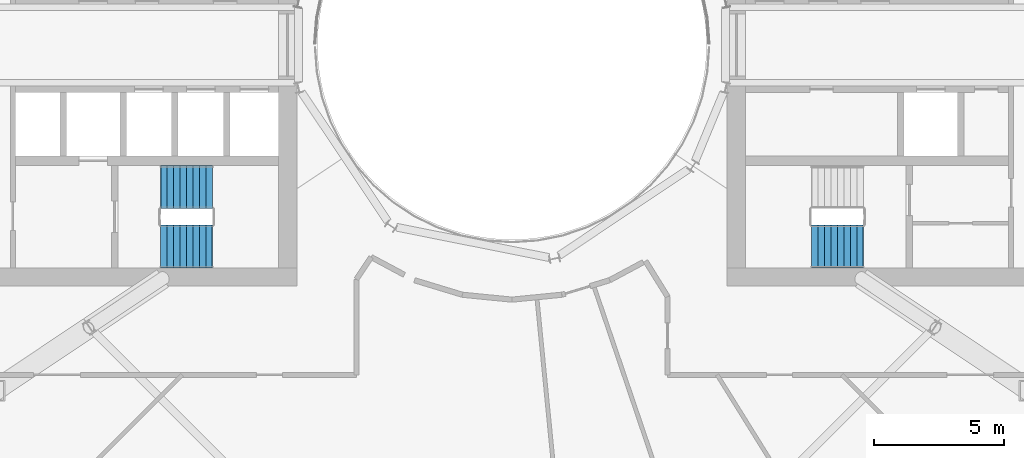
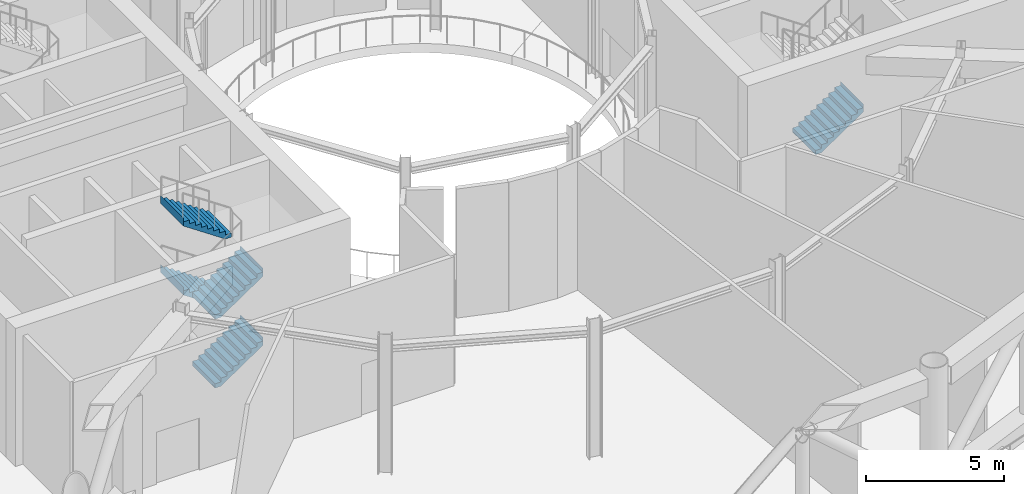
# One storey, part 15 of 23: 5 stair flights, 2 elements without a shape of their own.
"""IFC4 building model written with IfcOpenShell, lengths in metres."""

from ifc_helpers import new_model, si_unit, direction, frame, origin, place, context, subcontext, project, spatial, triangles, material, type_object, element, aggregate, save


model = new_model("IFC4")

# Units and contexts
model_context = context("Model", 3, precision=1e-05, world=origin(), true_north=direction((0.0, 1.0)))
body_context = subcontext(model_context, "Body", "Model", "MODEL_VIEW")
ifc_project = project(units=[si_unit("LENGTHUNIT", "METRE"), si_unit("AREAUNIT", "SQUARE_METRE"), si_unit("VOLUMEUNIT", "CUBIC_METRE"), si_unit("PLANEANGLEUNIT", "RADIAN"), si_unit("MASSUNIT", "GRAM", prefix="KILO")], contexts=[model_context])

# Site, building, storey
site_placement = place(None, origin())
site = spatial("IfcSite", under=ifc_project, at=site_placement, CompositionType="ELEMENT")
building_placement = place(site_placement, origin())
building = spatial("IfcBuilding", under=site, at=building_placement, Name="Maasbend Ring Residences", CompositionType="ELEMENT")
storey_placement = place(building_placement, frame((0.0, 0.0, 97.14990234375)))
storey = spatial("IfcBuildingStorey", under=building, at=storey_placement, Name="L28", CompositionType="ELEMENT", Elevation=97.14990234375)

# Stair, stair flight
ifc_material_1 = material(Name="Concrete C40/50", Category="concrete")
stair_type = type_object("IfcStairType", Name="CORE STAIR 36 RISERS", PredefinedType="HALF_TURN_STAIR", material=ifc_material_1)
stair_1_placement = place(storey_placement, origin())
stair_1 = element("IfcStair", 1, at=stair_1_placement, inside=storey, type_object=stair_type, Name="L28 Exit stair ST-E2", PredefinedType="HALF_TURN_STAIR")
ifc_material_2 = material(Name="Concrete C40/50", Category="concrete")
stair_flight_type = type_object("IfcStairFlightType", Name="CORE STAIR FLIGHT 1650", PredefinedType="STRAIGHT", material=ifc_material_2)
stair_flight_1_placement = place(storey_placement, frame((11.550048828125, -7.77490234375, 1.525146484375), z_axis=(0.0, 0.0, 1.0), x_axis=(1.0, 0.0, 0.0)))
stair_flight_1 = element("IfcStairFlight", 2, at=stair_flight_1_placement, type_object=stair_flight_type, Name="ST-E2 flight 2", NumberOfRisers=9, NumberOfTreads=8, PredefinedType="STRAIGHT", RiserHeight=0.169444444, TreadLength=0.25, context=body_context, shape_type="Tessellation", body=[
    triangles([(0.24072265625, 0.824951171875, -0.02001953125), (2.0029296875, 0.824951171875, 1.174560546875), (2.0029296875, 0.824951171875, 1.52490234375), (1.989990234375, 0.824951171875, 1.35546875), (1.75, 0.824951171875, 1.35546875), (1.75, 0.824951171875, 1.18603515625), (1.5, 0.824951171875, 1.18603515625), (1.5, 0.824951171875, 1.0166015625), (1.25, 0.824951171875, 1.0166015625), (1.25, 0.824951171875, 0.84716796875), (1.0, 0.824951171875, 0.84716796875), (1.0, 0.824951171875, 0.677734375), (0.75, 0.824951171875, 0.677734375), (0.75, 0.824951171875, 0.50830078125), (0.5, 0.824951171875, 0.50830078125), (0.5, 0.824951171875, 0.3388671875), (0.25, 0.824951171875, 0.3388671875), (0.25, 0.824951171875, 0.16943359375), (0.0, 0.824951171875, 0.16943359375), (0.0, 0.824951171875, 0.0), (-0.0029296875, 0.824951171875, 0.0), (-0.0029296875, 0.824951171875, -0.02001953125), (0.24072265625, 0.27490234375, -0.02001953125), (2.0029296875, 0.27490234375, 1.174560546875), (2.0029296875, 0.27490234375, 1.52490234375), (1.989990234375, 0.27490234375, 1.35546875), (1.75, 0.27490234375, 1.35546875), (1.75, 0.27490234375, 1.18603515625), (1.5, 0.27490234375, 1.18603515625), (1.5, 0.27490234375, 1.0166015625), (1.25, 0.27490234375, 1.0166015625), (1.25, 0.27490234375, 0.84716796875), (1.0, 0.27490234375, 0.84716796875), (1.0, 0.27490234375, 0.677734375), (0.75, 0.27490234375, 0.677734375), (0.75, 0.27490234375, 0.50830078125), (0.5, 0.27490234375, 0.50830078125), (0.5, 0.27490234375, 0.3388671875), (0.25, 0.27490234375, 0.3388671875), (0.25, 0.27490234375, 0.16943359375), (0.0, 0.27490234375, 0.16943359375), (0.0, 0.27490234375, 0.0), (-0.0029296875, 0.27490234375, 0.0), (-0.0029296875, 0.27490234375, -0.02001953125), (0.24072265625, -0.27490234375, -0.02001953125), (2.0029296875, -0.27490234375, 1.174560546875), (2.0029296875, -0.27490234375, 1.52490234375), (1.989990234375, -0.27490234375, 1.35546875), (1.75, -0.27490234375, 1.35546875), (1.75, -0.27490234375, 1.18603515625), (1.5, -0.27490234375, 1.18603515625), (1.5, -0.27490234375, 1.0166015625), (1.25, -0.27490234375, 1.0166015625), (1.25, -0.27490234375, 0.84716796875), (1.0, -0.27490234375, 0.84716796875), (1.0, -0.27490234375, 0.677734375), (0.75, -0.27490234375, 0.677734375), (0.75, -0.27490234375, 0.50830078125), (0.5, -0.27490234375, 0.50830078125), (0.5, -0.27490234375, 0.3388671875), (0.25, -0.27490234375, 0.3388671875), (0.25, -0.27490234375, 0.16943359375), (0.0, -0.27490234375, 0.16943359375), (0.0, -0.27490234375, 0.0), (-0.0029296875, -0.27490234375, 0.0), (-0.0029296875, -0.27490234375, -0.02001953125), (0.24072265625, -0.824951171875, -0.02001953125), (2.0029296875, -0.824951171875, 1.174560546875), (2.0029296875, -0.824951171875, 1.52490234375), (1.989990234375, -0.824951171875, 1.35546875), (1.75, -0.824951171875, 1.35546875), (1.75, -0.824951171875, 1.18603515625), (1.5, -0.824951171875, 1.18603515625), (1.5, -0.824951171875, 1.0166015625), (1.25, -0.824951171875, 1.0166015625), (1.25, -0.824951171875, 0.84716796875), (1.0, -0.824951171875, 0.84716796875), (1.0, -0.824951171875, 0.677734375), (0.75, -0.824951171875, 0.677734375), (0.75, -0.824951171875, 0.50830078125), (0.5, -0.824951171875, 0.50830078125), (0.5, -0.824951171875, 0.3388671875), (0.25, -0.824951171875, 0.3388671875), (0.25, -0.824951171875, 0.16943359375), (0.0, -0.824951171875, 0.16943359375), (0.0, -0.824951171875, 0.0), (-0.0029296875, -0.824951171875, 0.0), (-0.0029296875, -0.824951171875, -0.02001953125)], [[1, 2, 24], [1, 24, 23], [23, 24, 46], [23, 46, 45], [45, 46, 68], [45, 68, 67], [2, 3, 25], [2, 25, 24], [24, 25, 47], [24, 47, 46], [46, 47, 69], [46, 69, 68], [3, 4, 26], [3, 26, 25], [25, 26, 48], [25, 48, 47], [47, 48, 70], [47, 70, 69], [4, 5, 27], [4, 27, 26], [26, 27, 49], [26, 49, 48], [48, 49, 71], [48, 71, 70], [5, 6, 28], [5, 28, 27], [27, 28, 50], [27, 50, 49], [49, 50, 72], [49, 72, 71], [6, 7, 29], [6, 29, 28], [28, 29, 51], [28, 51, 50], [50, 51, 73], [50, 73, 72], [7, 8, 30], [7, 30, 29], [29, 30, 52], [29, 52, 51], [51, 52, 74], [51, 74, 73], [8, 9, 31], [8, 31, 30], [30, 31, 53], [30, 53, 52], [52, 53, 75], [52, 75, 74], [9, 10, 32], [9, 32, 31], [31, 32, 54], [31, 54, 53], [53, 54, 76], [53, 76, 75], [10, 11, 33], [10, 33, 32], [32, 33, 55], [32, 55, 54], [54, 55, 77], [54, 77, 76], [11, 12, 34], [11, 34, 33], [33, 34, 56], [33, 56, 55], [55, 56, 78], [55, 78, 77], [12, 13, 35], [12, 35, 34], [34, 35, 57], [34, 57, 56], [56, 57, 79], [56, 79, 78], [13, 14, 36], [13, 36, 35], [35, 36, 58], [35, 58, 57], [57, 58, 80], [57, 80, 79], [14, 15, 37], [14, 37, 36], [36, 37, 59], [36, 59, 58], [58, 59, 81], [58, 81, 80], [15, 16, 38], [15, 38, 37], [37, 38, 60], [37, 60, 59], [59, 60, 82], [59, 82, 81], [16, 17, 39], [16, 39, 38], [38, 39, 61], [38, 61, 60], [60, 61, 83], [60, 83, 82], [17, 18, 40], [17, 40, 39], [39, 40, 62], [39, 62, 61], [61, 62, 84], [61, 84, 83], [18, 19, 41], [18, 41, 40], [40, 41, 63], [40, 63, 62], [62, 63, 85], [62, 85, 84], [19, 20, 42], [19, 42, 41], [41, 42, 64], [41, 64, 63], [63, 64, 86], [63, 86, 85], [20, 21, 43], [20, 43, 42], [42, 43, 65], [42, 65, 64], [64, 65, 87], [64, 87, 86], [21, 22, 44], [21, 44, 43], [43, 44, 66], [43, 66, 65], [65, 66, 88], [65, 88, 87], [22, 1, 23], [22, 23, 44], [44, 23, 45], [44, 45, 66], [66, 45, 67], [66, 67, 88], [22, 2, 1], [2, 4, 3], [2, 5, 4], [2, 6, 5], [22, 6, 2], [6, 8, 7], [22, 8, 6], [8, 10, 9], [22, 10, 8], [10, 12, 11], [22, 12, 10], [12, 14, 13], [22, 14, 12], [14, 16, 15], [22, 16, 14], [16, 18, 17], [22, 18, 16], [18, 20, 19], [22, 20, 18], [20, 22, 21], [88, 67, 68], [68, 69, 70], [68, 70, 71], [68, 71, 72], [88, 68, 72], [72, 73, 74], [88, 72, 74], [74, 75, 76], [88, 74, 76], [76, 77, 78], [88, 76, 78], [78, 79, 80], [88, 78, 80], [80, 81, 82], [88, 80, 82], [82, 83, 84], [88, 82, 84], [84, 85, 86], [88, 84, 86], [86, 87, 88]], closed=True),
])
aggregate(stair_1, [stair_flight_1])

# Stair, stair flights
stair_2_placement = place(storey_placement, origin())
stair_2 = element("IfcStair", 3, at=stair_2_placement, inside=storey, type_object=stair_type, Name="L28 Exit stair ST-W1", PredefinedType="HALF_TURN_STAIR")
stair_flight_2_placement = place(storey_placement, frame((-13.550048828125, -7.77490234375, 0.0), z_axis=(0.0, 0.0, 1.0), x_axis=(1.0, 0.0, 0.0)))
stair_flight_2 = element("IfcStairFlight", 4, at=stair_flight_2_placement, type_object=stair_flight_type, Name="ST-W1 flight 1", NumberOfRisers=9, NumberOfTreads=8, PredefinedType="STRAIGHT", RiserHeight=0.169444444, TreadLength=0.25, context=body_context, shape_type="Tessellation", body=[
    triangles([(0.24072265625, 0.824951171875, -0.02001953125), (2.0029296875, 0.824951171875, 1.174560546875), (2.0029296875, 0.824951171875, 1.52490234375), (1.989990234375, 0.824951171875, 1.35546875), (1.75, 0.824951171875, 1.35546875), (1.75, 0.824951171875, 1.18603515625), (1.5, 0.824951171875, 1.18603515625), (1.5, 0.824951171875, 1.0166015625), (1.25, 0.824951171875, 1.0166015625), (1.25, 0.824951171875, 0.84716796875), (1.0, 0.824951171875, 0.84716796875), (1.0, 0.824951171875, 0.677734375), (0.75, 0.824951171875, 0.677734375), (0.75, 0.824951171875, 0.50830078125), (0.5, 0.824951171875, 0.50830078125), (0.5, 0.824951171875, 0.3388671875), (0.25, 0.824951171875, 0.3388671875), (0.25, 0.824951171875, 0.16943359375), (0.0, 0.824951171875, 0.16943359375), (0.0, 0.824951171875, 0.0), (-0.0029296875, 0.824951171875, 0.0), (-0.0029296875, 0.824951171875, -0.02001953125), (0.24072265625, 0.27490234375, -0.02001953125), (2.0029296875, 0.27490234375, 1.174560546875), (2.0029296875, 0.27490234375, 1.52490234375), (1.989990234375, 0.27490234375, 1.35546875), (1.75, 0.27490234375, 1.35546875), (1.75, 0.27490234375, 1.18603515625), (1.5, 0.27490234375, 1.18603515625), (1.5, 0.27490234375, 1.0166015625), (1.25, 0.27490234375, 1.0166015625), (1.25, 0.27490234375, 0.84716796875), (1.0, 0.27490234375, 0.84716796875), (1.0, 0.27490234375, 0.677734375), (0.75, 0.27490234375, 0.677734375), (0.75, 0.27490234375, 0.50830078125), (0.5, 0.27490234375, 0.50830078125), (0.5, 0.27490234375, 0.3388671875), (0.25, 0.27490234375, 0.3388671875), (0.25, 0.27490234375, 0.16943359375), (0.0, 0.27490234375, 0.16943359375), (0.0, 0.27490234375, 0.0), (-0.0029296875, 0.27490234375, 0.0), (-0.0029296875, 0.27490234375, -0.02001953125), (0.24072265625, -0.27490234375, -0.02001953125), (2.0029296875, -0.27490234375, 1.174560546875), (2.0029296875, -0.27490234375, 1.52490234375), (1.989990234375, -0.27490234375, 1.35546875), (1.75, -0.27490234375, 1.35546875), (1.75, -0.27490234375, 1.18603515625), (1.5, -0.27490234375, 1.18603515625), (1.5, -0.27490234375, 1.0166015625), (1.25, -0.27490234375, 1.0166015625), (1.25, -0.27490234375, 0.84716796875), (1.0, -0.27490234375, 0.84716796875), (1.0, -0.27490234375, 0.677734375), (0.75, -0.27490234375, 0.677734375), (0.75, -0.27490234375, 0.50830078125), (0.5, -0.27490234375, 0.50830078125), (0.5, -0.27490234375, 0.3388671875), (0.25, -0.27490234375, 0.3388671875), (0.25, -0.27490234375, 0.16943359375), (0.0, -0.27490234375, 0.16943359375), (0.0, -0.27490234375, 0.0), (-0.0029296875, -0.27490234375, 0.0), (-0.0029296875, -0.27490234375, -0.02001953125), (0.24072265625, -0.824951171875, -0.02001953125), (2.0029296875, -0.824951171875, 1.174560546875), (2.0029296875, -0.824951171875, 1.52490234375), (1.989990234375, -0.824951171875, 1.35546875), (1.75, -0.824951171875, 1.35546875), (1.75, -0.824951171875, 1.18603515625), (1.5, -0.824951171875, 1.18603515625), (1.5, -0.824951171875, 1.0166015625), (1.25, -0.824951171875, 1.0166015625), (1.25, -0.824951171875, 0.84716796875), (1.0, -0.824951171875, 0.84716796875), (1.0, -0.824951171875, 0.677734375), (0.75, -0.824951171875, 0.677734375), (0.75, -0.824951171875, 0.50830078125), (0.5, -0.824951171875, 0.50830078125), (0.5, -0.824951171875, 0.3388671875), (0.25, -0.824951171875, 0.3388671875), (0.25, -0.824951171875, 0.16943359375), (0.0, -0.824951171875, 0.16943359375), (0.0, -0.824951171875, 0.0), (-0.0029296875, -0.824951171875, 0.0), (-0.0029296875, -0.824951171875, -0.02001953125)], [[1, 2, 24], [1, 24, 23], [23, 24, 46], [23, 46, 45], [45, 46, 68], [45, 68, 67], [2, 3, 25], [2, 25, 24], [24, 25, 47], [24, 47, 46], [46, 47, 69], [46, 69, 68], [3, 4, 26], [3, 26, 25], [25, 26, 48], [25, 48, 47], [47, 48, 70], [47, 70, 69], [4, 5, 27], [4, 27, 26], [26, 27, 49], [26, 49, 48], [48, 49, 71], [48, 71, 70], [5, 6, 28], [5, 28, 27], [27, 28, 50], [27, 50, 49], [49, 50, 72], [49, 72, 71], [6, 7, 29], [6, 29, 28], [28, 29, 51], [28, 51, 50], [50, 51, 73], [50, 73, 72], [7, 8, 30], [7, 30, 29], [29, 30, 52], [29, 52, 51], [51, 52, 74], [51, 74, 73], [8, 9, 31], [8, 31, 30], [30, 31, 53], [30, 53, 52], [52, 53, 75], [52, 75, 74], [9, 10, 32], [9, 32, 31], [31, 32, 54], [31, 54, 53], [53, 54, 76], [53, 76, 75], [10, 11, 33], [10, 33, 32], [32, 33, 55], [32, 55, 54], [54, 55, 77], [54, 77, 76], [11, 12, 34], [11, 34, 33], [33, 34, 56], [33, 56, 55], [55, 56, 78], [55, 78, 77], [12, 13, 35], [12, 35, 34], [34, 35, 57], [34, 57, 56], [56, 57, 79], [56, 79, 78], [13, 14, 36], [13, 36, 35], [35, 36, 58], [35, 58, 57], [57, 58, 80], [57, 80, 79], [14, 15, 37], [14, 37, 36], [36, 37, 59], [36, 59, 58], [58, 59, 81], [58, 81, 80], [15, 16, 38], [15, 38, 37], [37, 38, 60], [37, 60, 59], [59, 60, 82], [59, 82, 81], [16, 17, 39], [16, 39, 38], [38, 39, 61], [38, 61, 60], [60, 61, 83], [60, 83, 82], [17, 18, 40], [17, 40, 39], [39, 40, 62], [39, 62, 61], [61, 62, 84], [61, 84, 83], [18, 19, 41], [18, 41, 40], [40, 41, 63], [40, 63, 62], [62, 63, 85], [62, 85, 84], [19, 20, 42], [19, 42, 41], [41, 42, 64], [41, 64, 63], [63, 64, 86], [63, 86, 85], [20, 21, 43], [20, 43, 42], [42, 43, 65], [42, 65, 64], [64, 65, 87], [64, 87, 86], [21, 22, 44], [21, 44, 43], [43, 44, 66], [43, 66, 65], [65, 66, 88], [65, 88, 87], [22, 1, 23], [22, 23, 44], [44, 23, 45], [44, 45, 66], [66, 45, 67], [66, 67, 88], [22, 2, 1], [2, 4, 3], [2, 5, 4], [2, 6, 5], [22, 6, 2], [6, 8, 7], [22, 8, 6], [8, 10, 9], [22, 10, 8], [10, 12, 11], [22, 12, 10], [12, 14, 13], [22, 14, 12], [14, 16, 15], [22, 16, 14], [16, 18, 17], [22, 18, 16], [18, 20, 19], [22, 20, 18], [20, 22, 21], [88, 67, 68], [68, 69, 70], [68, 70, 71], [68, 71, 72], [88, 68, 72], [72, 73, 74], [88, 72, 74], [74, 75, 76], [88, 74, 76], [76, 77, 78], [88, 76, 78], [78, 79, 80], [88, 78, 80], [80, 81, 82], [88, 80, 82], [82, 83, 84], [88, 82, 84], [84, 85, 86], [88, 84, 86], [86, 87, 88]], closed=True),
])
stair_flight_3_placement = place(storey_placement, frame((-11.550048828125, -5.47509765625, 1.525146484375), z_axis=(0.0, 0.0, 1.0), x_axis=(-1.0, 0.0, 0.0)))
stair_flight_3 = element("IfcStairFlight", 5, at=stair_flight_3_placement, type_object=stair_flight_type, Name="ST-W1 flight 2", NumberOfRisers=9, NumberOfTreads=8, PredefinedType="STRAIGHT", RiserHeight=0.169444444, TreadLength=0.25, context=body_context, shape_type="Tessellation", body=[
    triangles([(0.24072265625, 0.824951171875, -0.02001953125), (2.0029296875, 0.824951171875, 1.174560546875), (2.0029296875, 0.824951171875, 1.52490234375), (1.989990234375, 0.824951171875, 1.35546875), (1.75, 0.824951171875, 1.35546875), (1.75, 0.824951171875, 1.18603515625), (1.5, 0.824951171875, 1.18603515625), (1.5, 0.824951171875, 1.0166015625), (1.25, 0.824951171875, 1.0166015625), (1.25, 0.824951171875, 0.84716796875), (1.0, 0.824951171875, 0.84716796875), (1.0, 0.824951171875, 0.677734375), (0.75, 0.824951171875, 0.677734375), (0.75, 0.824951171875, 0.50830078125), (0.5, 0.824951171875, 0.50830078125), (0.5, 0.824951171875, 0.3388671875), (0.25, 0.824951171875, 0.3388671875), (0.25, 0.824951171875, 0.16943359375), (0.0, 0.824951171875, 0.16943359375), (0.0, 0.824951171875, 0.0), (-0.0029296875, 0.824951171875, 0.0), (-0.0029296875, 0.824951171875, -0.02001953125), (0.24072265625, 0.27490234375, -0.02001953125), (2.0029296875, 0.27490234375, 1.174560546875), (2.0029296875, 0.27490234375, 1.52490234375), (1.989990234375, 0.27490234375, 1.35546875), (1.75, 0.27490234375, 1.35546875), (1.75, 0.27490234375, 1.18603515625), (1.5, 0.27490234375, 1.18603515625), (1.5, 0.27490234375, 1.0166015625), (1.25, 0.27490234375, 1.0166015625), (1.25, 0.27490234375, 0.84716796875), (1.0, 0.27490234375, 0.84716796875), (1.0, 0.27490234375, 0.677734375), (0.75, 0.27490234375, 0.677734375), (0.75, 0.27490234375, 0.50830078125), (0.5, 0.27490234375, 0.50830078125), (0.5, 0.27490234375, 0.3388671875), (0.25, 0.27490234375, 0.3388671875), (0.25, 0.27490234375, 0.16943359375), (0.0, 0.27490234375, 0.16943359375), (0.0, 0.27490234375, 0.0), (-0.0029296875, 0.27490234375, 0.0), (-0.0029296875, 0.27490234375, -0.02001953125), (0.24072265625, -0.27490234375, -0.02001953125), (2.0029296875, -0.27490234375, 1.174560546875), (2.0029296875, -0.27490234375, 1.52490234375), (1.989990234375, -0.27490234375, 1.35546875), (1.75, -0.27490234375, 1.35546875), (1.75, -0.27490234375, 1.18603515625), (1.5, -0.27490234375, 1.18603515625), (1.5, -0.27490234375, 1.0166015625), (1.25, -0.27490234375, 1.0166015625), (1.25, -0.27490234375, 0.84716796875), (1.0, -0.27490234375, 0.84716796875), (1.0, -0.27490234375, 0.677734375), (0.75, -0.27490234375, 0.677734375), (0.75, -0.27490234375, 0.50830078125), (0.5, -0.27490234375, 0.50830078125), (0.5, -0.27490234375, 0.3388671875), (0.25, -0.27490234375, 0.3388671875), (0.25, -0.27490234375, 0.16943359375), (0.0, -0.27490234375, 0.16943359375), (0.0, -0.27490234375, 0.0), (-0.0029296875, -0.27490234375, 0.0), (-0.0029296875, -0.27490234375, -0.02001953125), (0.24072265625, -0.824951171875, -0.02001953125), (2.0029296875, -0.824951171875, 1.174560546875), (2.0029296875, -0.824951171875, 1.52490234375), (1.989990234375, -0.824951171875, 1.35546875), (1.75, -0.824951171875, 1.35546875), (1.75, -0.824951171875, 1.18603515625), (1.5, -0.824951171875, 1.18603515625), (1.5, -0.824951171875, 1.0166015625), (1.25, -0.824951171875, 1.0166015625), (1.25, -0.824951171875, 0.84716796875), (1.0, -0.824951171875, 0.84716796875), (1.0, -0.824951171875, 0.677734375), (0.75, -0.824951171875, 0.677734375), (0.75, -0.824951171875, 0.50830078125), (0.5, -0.824951171875, 0.50830078125), (0.5, -0.824951171875, 0.3388671875), (0.25, -0.824951171875, 0.3388671875), (0.25, -0.824951171875, 0.16943359375), (0.0, -0.824951171875, 0.16943359375), (0.0, -0.824951171875, 0.0), (-0.0029296875, -0.824951171875, 0.0), (-0.0029296875, -0.824951171875, -0.02001953125)], [[1, 2, 24], [1, 24, 23], [23, 24, 46], [23, 46, 45], [45, 46, 68], [45, 68, 67], [2, 3, 25], [2, 25, 24], [24, 25, 47], [24, 47, 46], [46, 47, 69], [46, 69, 68], [3, 4, 26], [3, 26, 25], [25, 26, 48], [25, 48, 47], [47, 48, 70], [47, 70, 69], [4, 5, 27], [4, 27, 26], [26, 27, 49], [26, 49, 48], [48, 49, 71], [48, 71, 70], [5, 6, 28], [5, 28, 27], [27, 28, 50], [27, 50, 49], [49, 50, 72], [49, 72, 71], [6, 7, 29], [6, 29, 28], [28, 29, 51], [28, 51, 50], [50, 51, 73], [50, 73, 72], [7, 8, 30], [7, 30, 29], [29, 30, 52], [29, 52, 51], [51, 52, 74], [51, 74, 73], [8, 9, 31], [8, 31, 30], [30, 31, 53], [30, 53, 52], [52, 53, 75], [52, 75, 74], [9, 10, 32], [9, 32, 31], [31, 32, 54], [31, 54, 53], [53, 54, 76], [53, 76, 75], [10, 11, 33], [10, 33, 32], [32, 33, 55], [32, 55, 54], [54, 55, 77], [54, 77, 76], [11, 12, 34], [11, 34, 33], [33, 34, 56], [33, 56, 55], [55, 56, 78], [55, 78, 77], [12, 13, 35], [12, 35, 34], [34, 35, 57], [34, 57, 56], [56, 57, 79], [56, 79, 78], [13, 14, 36], [13, 36, 35], [35, 36, 58], [35, 58, 57], [57, 58, 80], [57, 80, 79], [14, 15, 37], [14, 37, 36], [36, 37, 59], [36, 59, 58], [58, 59, 81], [58, 81, 80], [15, 16, 38], [15, 38, 37], [37, 38, 60], [37, 60, 59], [59, 60, 82], [59, 82, 81], [16, 17, 39], [16, 39, 38], [38, 39, 61], [38, 61, 60], [60, 61, 83], [60, 83, 82], [17, 18, 40], [17, 40, 39], [39, 40, 62], [39, 62, 61], [61, 62, 84], [61, 84, 83], [18, 19, 41], [18, 41, 40], [40, 41, 63], [40, 63, 62], [62, 63, 85], [62, 85, 84], [19, 20, 42], [19, 42, 41], [41, 42, 64], [41, 64, 63], [63, 64, 86], [63, 86, 85], [20, 21, 43], [20, 43, 42], [42, 43, 65], [42, 65, 64], [64, 65, 87], [64, 87, 86], [21, 22, 44], [21, 44, 43], [43, 44, 66], [43, 66, 65], [65, 66, 88], [65, 88, 87], [22, 1, 23], [22, 23, 44], [44, 23, 45], [44, 45, 66], [66, 45, 67], [66, 67, 88], [22, 2, 1], [2, 4, 3], [2, 5, 4], [2, 6, 5], [22, 6, 2], [6, 8, 7], [22, 8, 6], [8, 10, 9], [22, 10, 8], [10, 12, 11], [22, 12, 10], [12, 14, 13], [22, 14, 12], [14, 16, 15], [22, 16, 14], [16, 18, 17], [22, 18, 16], [18, 20, 19], [22, 20, 18], [20, 22, 21], [88, 67, 68], [68, 69, 70], [68, 70, 71], [68, 71, 72], [88, 68, 72], [72, 73, 74], [88, 72, 74], [74, 75, 76], [88, 74, 76], [76, 77, 78], [88, 76, 78], [78, 79, 80], [88, 78, 80], [80, 81, 82], [88, 80, 82], [82, 83, 84], [88, 82, 84], [84, 85, 86], [88, 84, 86], [86, 87, 88]], closed=True),
])
stair_flight_4_placement = place(storey_placement, frame((-13.550048828125, -7.77490234375, 3.050048828125), z_axis=(0.0, 0.0, 1.0), x_axis=(1.0, 0.0, 0.0)))
stair_flight_4 = element("IfcStairFlight", 6, at=stair_flight_4_placement, type_object=stair_flight_type, Name="ST-W1 flight 3", NumberOfRisers=9, NumberOfTreads=8, PredefinedType="STRAIGHT", RiserHeight=0.169444444, TreadLength=0.25, context=body_context, shape_type="Tessellation", body=[
    triangles([(0.24072265625, 0.824951171875, -0.02001953125), (2.0029296875, 0.824951171875, 1.174560546875), (2.0029296875, 0.824951171875, 1.52490234375), (1.989990234375, 0.824951171875, 1.35546875), (1.75, 0.824951171875, 1.35546875), (1.75, 0.824951171875, 1.18603515625), (1.5, 0.824951171875, 1.18603515625), (1.5, 0.824951171875, 1.0166015625), (1.25, 0.824951171875, 1.0166015625), (1.25, 0.824951171875, 0.84716796875), (1.0, 0.824951171875, 0.84716796875), (1.0, 0.824951171875, 0.677734375), (0.75, 0.824951171875, 0.677734375), (0.75, 0.824951171875, 0.50830078125), (0.5, 0.824951171875, 0.50830078125), (0.5, 0.824951171875, 0.3388671875), (0.25, 0.824951171875, 0.3388671875), (0.25, 0.824951171875, 0.16943359375), (0.0, 0.824951171875, 0.16943359375), (0.0, 0.824951171875, 0.0), (-0.0029296875, 0.824951171875, 0.0), (-0.0029296875, 0.824951171875, -0.02001953125), (0.24072265625, 0.27490234375, -0.02001953125), (2.0029296875, 0.27490234375, 1.174560546875), (2.0029296875, 0.27490234375, 1.52490234375), (1.989990234375, 0.27490234375, 1.35546875), (1.75, 0.27490234375, 1.35546875), (1.75, 0.27490234375, 1.18603515625), (1.5, 0.27490234375, 1.18603515625), (1.5, 0.27490234375, 1.0166015625), (1.25, 0.27490234375, 1.0166015625), (1.25, 0.27490234375, 0.84716796875), (1.0, 0.27490234375, 0.84716796875), (1.0, 0.27490234375, 0.677734375), (0.75, 0.27490234375, 0.677734375), (0.75, 0.27490234375, 0.50830078125), (0.5, 0.27490234375, 0.50830078125), (0.5, 0.27490234375, 0.3388671875), (0.25, 0.27490234375, 0.3388671875), (0.25, 0.27490234375, 0.16943359375), (0.0, 0.27490234375, 0.16943359375), (0.0, 0.27490234375, 0.0), (-0.0029296875, 0.27490234375, 0.0), (-0.0029296875, 0.27490234375, -0.02001953125), (0.24072265625, -0.27490234375, -0.02001953125), (2.0029296875, -0.27490234375, 1.174560546875), (2.0029296875, -0.27490234375, 1.52490234375), (1.989990234375, -0.27490234375, 1.35546875), (1.75, -0.27490234375, 1.35546875), (1.75, -0.27490234375, 1.18603515625), (1.5, -0.27490234375, 1.18603515625), (1.5, -0.27490234375, 1.0166015625), (1.25, -0.27490234375, 1.0166015625), (1.25, -0.27490234375, 0.84716796875), (1.0, -0.27490234375, 0.84716796875), (1.0, -0.27490234375, 0.677734375), (0.75, -0.27490234375, 0.677734375), (0.75, -0.27490234375, 0.50830078125), (0.5, -0.27490234375, 0.50830078125), (0.5, -0.27490234375, 0.3388671875), (0.25, -0.27490234375, 0.3388671875), (0.25, -0.27490234375, 0.16943359375), (0.0, -0.27490234375, 0.16943359375), (0.0, -0.27490234375, 0.0), (-0.0029296875, -0.27490234375, 0.0), (-0.0029296875, -0.27490234375, -0.02001953125), (0.24072265625, -0.824951171875, -0.02001953125), (2.0029296875, -0.824951171875, 1.174560546875), (2.0029296875, -0.824951171875, 1.52490234375), (1.989990234375, -0.824951171875, 1.35546875), (1.75, -0.824951171875, 1.35546875), (1.75, -0.824951171875, 1.18603515625), (1.5, -0.824951171875, 1.18603515625), (1.5, -0.824951171875, 1.0166015625), (1.25, -0.824951171875, 1.0166015625), (1.25, -0.824951171875, 0.84716796875), (1.0, -0.824951171875, 0.84716796875), (1.0, -0.824951171875, 0.677734375), (0.75, -0.824951171875, 0.677734375), (0.75, -0.824951171875, 0.50830078125), (0.5, -0.824951171875, 0.50830078125), (0.5, -0.824951171875, 0.3388671875), (0.25, -0.824951171875, 0.3388671875), (0.25, -0.824951171875, 0.16943359375), (0.0, -0.824951171875, 0.16943359375), (0.0, -0.824951171875, 0.0), (-0.0029296875, -0.824951171875, 0.0), (-0.0029296875, -0.824951171875, -0.02001953125)], [[1, 2, 24], [1, 24, 23], [23, 24, 46], [23, 46, 45], [45, 46, 68], [45, 68, 67], [2, 3, 25], [2, 25, 24], [24, 25, 47], [24, 47, 46], [46, 47, 69], [46, 69, 68], [3, 4, 26], [3, 26, 25], [25, 26, 48], [25, 48, 47], [47, 48, 70], [47, 70, 69], [4, 5, 27], [4, 27, 26], [26, 27, 49], [26, 49, 48], [48, 49, 71], [48, 71, 70], [5, 6, 28], [5, 28, 27], [27, 28, 50], [27, 50, 49], [49, 50, 72], [49, 72, 71], [6, 7, 29], [6, 29, 28], [28, 29, 51], [28, 51, 50], [50, 51, 73], [50, 73, 72], [7, 8, 30], [7, 30, 29], [29, 30, 52], [29, 52, 51], [51, 52, 74], [51, 74, 73], [8, 9, 31], [8, 31, 30], [30, 31, 53], [30, 53, 52], [52, 53, 75], [52, 75, 74], [9, 10, 32], [9, 32, 31], [31, 32, 54], [31, 54, 53], [53, 54, 76], [53, 76, 75], [10, 11, 33], [10, 33, 32], [32, 33, 55], [32, 55, 54], [54, 55, 77], [54, 77, 76], [11, 12, 34], [11, 34, 33], [33, 34, 56], [33, 56, 55], [55, 56, 78], [55, 78, 77], [12, 13, 35], [12, 35, 34], [34, 35, 57], [34, 57, 56], [56, 57, 79], [56, 79, 78], [13, 14, 36], [13, 36, 35], [35, 36, 58], [35, 58, 57], [57, 58, 80], [57, 80, 79], [14, 15, 37], [14, 37, 36], [36, 37, 59], [36, 59, 58], [58, 59, 81], [58, 81, 80], [15, 16, 38], [15, 38, 37], [37, 38, 60], [37, 60, 59], [59, 60, 82], [59, 82, 81], [16, 17, 39], [16, 39, 38], [38, 39, 61], [38, 61, 60], [60, 61, 83], [60, 83, 82], [17, 18, 40], [17, 40, 39], [39, 40, 62], [39, 62, 61], [61, 62, 84], [61, 84, 83], [18, 19, 41], [18, 41, 40], [40, 41, 63], [40, 63, 62], [62, 63, 85], [62, 85, 84], [19, 20, 42], [19, 42, 41], [41, 42, 64], [41, 64, 63], [63, 64, 86], [63, 86, 85], [20, 21, 43], [20, 43, 42], [42, 43, 65], [42, 65, 64], [64, 65, 87], [64, 87, 86], [21, 22, 44], [21, 44, 43], [43, 44, 66], [43, 66, 65], [65, 66, 88], [65, 88, 87], [22, 1, 23], [22, 23, 44], [44, 23, 45], [44, 45, 66], [66, 45, 67], [66, 67, 88], [22, 2, 1], [2, 4, 3], [2, 5, 4], [2, 6, 5], [22, 6, 2], [6, 8, 7], [22, 8, 6], [8, 10, 9], [22, 10, 8], [10, 12, 11], [22, 12, 10], [12, 14, 13], [22, 14, 12], [14, 16, 15], [22, 16, 14], [16, 18, 17], [22, 18, 16], [18, 20, 19], [22, 20, 18], [20, 22, 21], [88, 67, 68], [68, 69, 70], [68, 70, 71], [68, 71, 72], [88, 68, 72], [72, 73, 74], [88, 72, 74], [74, 75, 76], [88, 74, 76], [76, 77, 78], [88, 76, 78], [78, 79, 80], [88, 78, 80], [80, 81, 82], [88, 80, 82], [82, 83, 84], [88, 82, 84], [84, 85, 86], [88, 84, 86], [86, 87, 88]], closed=True),
])
stair_flight_5_placement = place(storey_placement, frame((-11.550048828125, -5.47509765625, 4.5751953125), z_axis=(0.0, 0.0, 1.0), x_axis=(-1.0, 0.0, 0.0)))
stair_flight_5 = element("IfcStairFlight", 7, at=stair_flight_5_placement, type_object=stair_flight_type, Name="ST-W1 flight 4", NumberOfRisers=9, NumberOfTreads=8, PredefinedType="STRAIGHT", RiserHeight=0.169444444, TreadLength=0.25, context=body_context, shape_type="Tessellation", body=[
    triangles([(0.24072265625, 0.824951171875, -0.02001953125), (2.0029296875, 0.824951171875, 1.174560546875), (2.0029296875, 0.824951171875, 1.52490234375), (1.989990234375, 0.824951171875, 1.35546875), (1.75, 0.824951171875, 1.35546875), (1.75, 0.824951171875, 1.18603515625), (1.5, 0.824951171875, 1.18603515625), (1.5, 0.824951171875, 1.0166015625), (1.25, 0.824951171875, 1.0166015625), (1.25, 0.824951171875, 0.84716796875), (1.0, 0.824951171875, 0.84716796875), (1.0, 0.824951171875, 0.677734375), (0.75, 0.824951171875, 0.677734375), (0.75, 0.824951171875, 0.50830078125), (0.5, 0.824951171875, 0.50830078125), (0.5, 0.824951171875, 0.3388671875), (0.25, 0.824951171875, 0.3388671875), (0.25, 0.824951171875, 0.16943359375), (0.0, 0.824951171875, 0.16943359375), (0.0, 0.824951171875, 0.0), (-0.0029296875, 0.824951171875, 0.0), (-0.0029296875, 0.824951171875, -0.02001953125), (0.24072265625, 0.27490234375, -0.02001953125), (2.0029296875, 0.27490234375, 1.174560546875), (2.0029296875, 0.27490234375, 1.52490234375), (1.989990234375, 0.27490234375, 1.35546875), (1.75, 0.27490234375, 1.35546875), (1.75, 0.27490234375, 1.18603515625), (1.5, 0.27490234375, 1.18603515625), (1.5, 0.27490234375, 1.0166015625), (1.25, 0.27490234375, 1.0166015625), (1.25, 0.27490234375, 0.84716796875), (1.0, 0.27490234375, 0.84716796875), (1.0, 0.27490234375, 0.677734375), (0.75, 0.27490234375, 0.677734375), (0.75, 0.27490234375, 0.50830078125), (0.5, 0.27490234375, 0.50830078125), (0.5, 0.27490234375, 0.3388671875), (0.25, 0.27490234375, 0.3388671875), (0.25, 0.27490234375, 0.16943359375), (0.0, 0.27490234375, 0.16943359375), (0.0, 0.27490234375, 0.0), (-0.0029296875, 0.27490234375, 0.0), (-0.0029296875, 0.27490234375, -0.02001953125), (0.24072265625, -0.27490234375, -0.02001953125), (2.0029296875, -0.27490234375, 1.174560546875), (2.0029296875, -0.27490234375, 1.52490234375), (1.989990234375, -0.27490234375, 1.35546875), (1.75, -0.27490234375, 1.35546875), (1.75, -0.27490234375, 1.18603515625), (1.5, -0.27490234375, 1.18603515625), (1.5, -0.27490234375, 1.0166015625), (1.25, -0.27490234375, 1.0166015625), (1.25, -0.27490234375, 0.84716796875), (1.0, -0.27490234375, 0.84716796875), (1.0, -0.27490234375, 0.677734375), (0.75, -0.27490234375, 0.677734375), (0.75, -0.27490234375, 0.50830078125), (0.5, -0.27490234375, 0.50830078125), (0.5, -0.27490234375, 0.3388671875), (0.25, -0.27490234375, 0.3388671875), (0.25, -0.27490234375, 0.16943359375), (0.0, -0.27490234375, 0.16943359375), (0.0, -0.27490234375, 0.0), (-0.0029296875, -0.27490234375, 0.0), (-0.0029296875, -0.27490234375, -0.02001953125), (0.24072265625, -0.824951171875, -0.02001953125), (2.0029296875, -0.824951171875, 1.174560546875), (2.0029296875, -0.824951171875, 1.52490234375), (1.989990234375, -0.824951171875, 1.35546875), (1.75, -0.824951171875, 1.35546875), (1.75, -0.824951171875, 1.18603515625), (1.5, -0.824951171875, 1.18603515625), (1.5, -0.824951171875, 1.0166015625), (1.25, -0.824951171875, 1.0166015625), (1.25, -0.824951171875, 0.84716796875), (1.0, -0.824951171875, 0.84716796875), (1.0, -0.824951171875, 0.677734375), (0.75, -0.824951171875, 0.677734375), (0.75, -0.824951171875, 0.50830078125), (0.5, -0.824951171875, 0.50830078125), (0.5, -0.824951171875, 0.3388671875), (0.25, -0.824951171875, 0.3388671875), (0.25, -0.824951171875, 0.16943359375), (0.0, -0.824951171875, 0.16943359375), (0.0, -0.824951171875, 0.0), (-0.0029296875, -0.824951171875, 0.0), (-0.0029296875, -0.824951171875, -0.02001953125)], [[1, 2, 24], [1, 24, 23], [23, 24, 46], [23, 46, 45], [45, 46, 68], [45, 68, 67], [2, 3, 25], [2, 25, 24], [24, 25, 47], [24, 47, 46], [46, 47, 69], [46, 69, 68], [3, 4, 26], [3, 26, 25], [25, 26, 48], [25, 48, 47], [47, 48, 70], [47, 70, 69], [4, 5, 27], [4, 27, 26], [26, 27, 49], [26, 49, 48], [48, 49, 71], [48, 71, 70], [5, 6, 28], [5, 28, 27], [27, 28, 50], [27, 50, 49], [49, 50, 72], [49, 72, 71], [6, 7, 29], [6, 29, 28], [28, 29, 51], [28, 51, 50], [50, 51, 73], [50, 73, 72], [7, 8, 30], [7, 30, 29], [29, 30, 52], [29, 52, 51], [51, 52, 74], [51, 74, 73], [8, 9, 31], [8, 31, 30], [30, 31, 53], [30, 53, 52], [52, 53, 75], [52, 75, 74], [9, 10, 32], [9, 32, 31], [31, 32, 54], [31, 54, 53], [53, 54, 76], [53, 76, 75], [10, 11, 33], [10, 33, 32], [32, 33, 55], [32, 55, 54], [54, 55, 77], [54, 77, 76], [11, 12, 34], [11, 34, 33], [33, 34, 56], [33, 56, 55], [55, 56, 78], [55, 78, 77], [12, 13, 35], [12, 35, 34], [34, 35, 57], [34, 57, 56], [56, 57, 79], [56, 79, 78], [13, 14, 36], [13, 36, 35], [35, 36, 58], [35, 58, 57], [57, 58, 80], [57, 80, 79], [14, 15, 37], [14, 37, 36], [36, 37, 59], [36, 59, 58], [58, 59, 81], [58, 81, 80], [15, 16, 38], [15, 38, 37], [37, 38, 60], [37, 60, 59], [59, 60, 82], [59, 82, 81], [16, 17, 39], [16, 39, 38], [38, 39, 61], [38, 61, 60], [60, 61, 83], [60, 83, 82], [17, 18, 40], [17, 40, 39], [39, 40, 62], [39, 62, 61], [61, 62, 84], [61, 84, 83], [18, 19, 41], [18, 41, 40], [40, 41, 63], [40, 63, 62], [62, 63, 85], [62, 85, 84], [19, 20, 42], [19, 42, 41], [41, 42, 64], [41, 64, 63], [63, 64, 86], [63, 86, 85], [20, 21, 43], [20, 43, 42], [42, 43, 65], [42, 65, 64], [64, 65, 87], [64, 87, 86], [21, 22, 44], [21, 44, 43], [43, 44, 66], [43, 66, 65], [65, 66, 88], [65, 88, 87], [22, 1, 23], [22, 23, 44], [44, 23, 45], [44, 45, 66], [66, 45, 67], [66, 67, 88], [22, 2, 1], [2, 4, 3], [2, 5, 4], [2, 6, 5], [22, 6, 2], [6, 8, 7], [22, 8, 6], [8, 10, 9], [22, 10, 8], [10, 12, 11], [22, 12, 10], [12, 14, 13], [22, 14, 12], [14, 16, 15], [22, 16, 14], [16, 18, 17], [22, 18, 16], [18, 20, 19], [22, 20, 18], [20, 22, 21], [88, 67, 68], [68, 69, 70], [68, 70, 71], [68, 71, 72], [88, 68, 72], [72, 73, 74], [88, 72, 74], [74, 75, 76], [88, 74, 76], [76, 77, 78], [88, 76, 78], [78, 79, 80], [88, 78, 80], [80, 81, 82], [88, 80, 82], [82, 83, 84], [88, 82, 84], [84, 85, 86], [88, 84, 86], [86, 87, 88]], closed=True),
])
aggregate(stair_2, [stair_flight_2, stair_flight_3, stair_flight_4, stair_flight_5])

save(model, "model.ifc")
